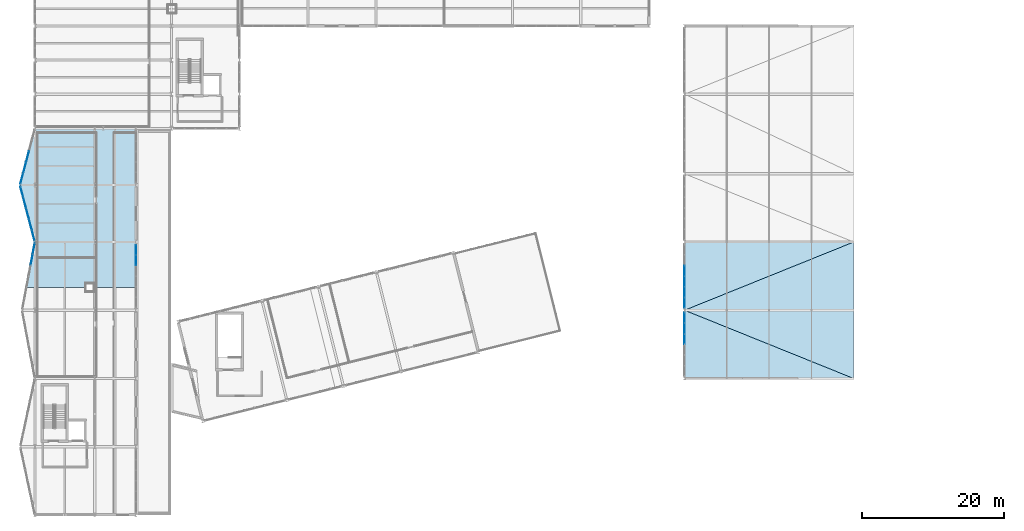
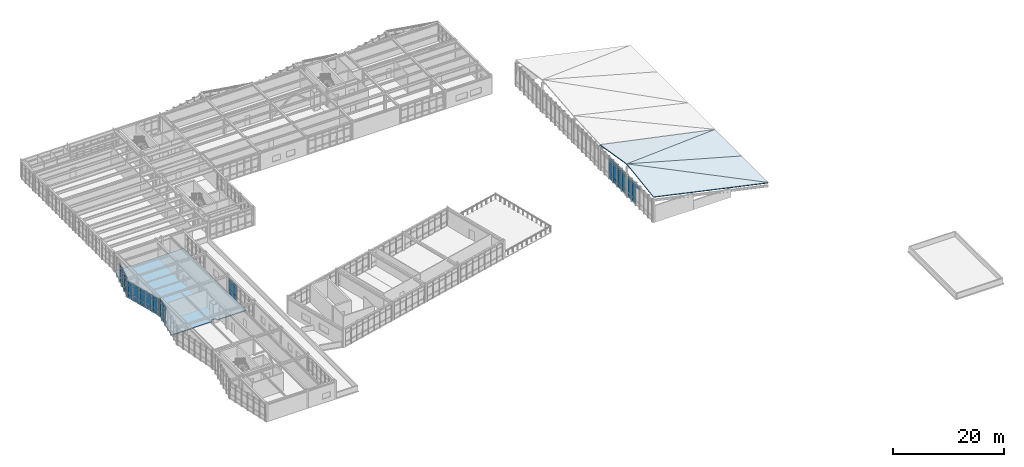
# One storey, part 43 of 64: 55 plates, 5 slabs, 6 elements without a shape of their own.
"""IFC4 building model written with IfcOpenShell, lengths in metres."""

from ifc_helpers import new_model, si_unit, direction, frame, origin, origin_2d, place, context, subcontext, project, spatial, polyline, rectangle, outline, extrude, material, layer, layer_set, type_object, element, aggregate, save


model = new_model("IFC4")

# Units and contexts
model_context = context("Model", 3, precision=1e-05, world=origin(), true_north=direction((0.0, 1.0)))
body_context = subcontext(model_context, "Body", "Model", "MODEL_VIEW")
ifc_project = project(units=[si_unit("LENGTHUNIT", "METRE"), si_unit("AREAUNIT", "SQUARE_METRE"), si_unit("VOLUMEUNIT", "CUBIC_METRE"), si_unit("PLANEANGLEUNIT", "RADIAN"), si_unit("MASSUNIT", "GRAM", prefix="KILO")], contexts=[model_context])

# Site, building, storey
site_placement = place(None, origin())
site = spatial("IfcSite", under=ifc_project, at=site_placement, CompositionType="ELEMENT")
building_placement = place(site_placement, origin())
building = spatial("IfcBuilding", under=site, at=building_placement, Name="Nordkorset Police Headquarters", CompositionType="ELEMENT")
storey_placement = place(building_placement, frame((0.0, 0.0, 17.85009765625)))
storey = spatial("IfcBuildingStorey", under=building, at=storey_placement, Name="L04", CompositionType="ELEMENT", Elevation=17.85009765625)

# Curtain wall, plates
ifc_material_1 = material(Name="Aluminium alloy AW-6060", Category="aluminium")
ifc_layer_1 = layer(ifc_material_1, 0.179931640625, Name="Aluminium alloy AW-6060")
ifc_layer_set_1 = layer_set([ifc_layer_1], Name="Aluminium alloy AW-6060")
curtain_wall_type_1 = type_object("IfcCurtainWallType", Name="CW_Unit_949x392", PredefinedType="USERDEFINED", material=ifc_layer_set_1)
curtain_wall_1_placement = place(storey_placement, origin())
curtain_wall_1 = element("IfcCurtainWall", 1, at=curtain_wall_1_placement, inside=storey, type_object=curtain_wall_type_1, Name="Unitised Curtain Wall L04 V3W-3", ObjectType="UNITISED CURTAIN WALL", PredefinedType="USERDEFINED")
ifc_material_2 = material(Name="Low-iron triple glazing", Category="glass")
ifc_layer_2 = layer(ifc_material_2, 0.035888671875, Name="Low-iron triple glazing")
ifc_layer_set_2 = layer_set([ifc_layer_2], Name="Low-iron triple glazing")
plate_type = type_object("IfcPlateType", Name="CW_Panel_TripleGlazing_36", PredefinedType="CURTAIN_PANEL", material=ifc_layer_set_2)
plate_1_placement = place(storey_placement, frame((-0.462890625, 64.731201171875, 0.06494140625), z_axis=(0.0, 0.0, 1.0), x_axis=(0.184288535048, 0.982872186935, 0.0)))
plate_1 = element("IfcPlate", 2, at=plate_1_placement, type_object=plate_type, Name="CW-49 panel 5.1", PredefinedType="CURTAIN_PANEL", context=body_context, shape_type="SweptSolid", body=[
    extrude(rectangle(XDim=1.51611328125, YDim=0.035888671875, at=origin_2d()), origin(), (0.0, 0.0, 1.0), 0.902587890625),
])
plate_2_placement = place(storey_placement, frame((-0.462890625, 64.731201171875, 1.032470703125), z_axis=(0.0, 0.0, 1.0), x_axis=(0.184288535048, 0.982872186935, 0.0)))
plate_2 = element("IfcPlate", 3, at=plate_2_placement, type_object=plate_type, Name="CW-49 panel 5.2", PredefinedType="CURTAIN_PANEL", context=body_context, shape_type="SweptSolid", body=[
    extrude(rectangle(XDim=1.51611328125, YDim=0.035888671875, at=origin_2d()), origin(), (0.0, 0.0, 1.0), 2.0048828125),
])
plate_3_placement = place(storey_placement, frame((-0.462890625, 64.731201171875, 3.1025390625), z_axis=(0.0, 0.0, 1.0), x_axis=(0.184288535048, 0.982872186935, 0.0)))
plate_3 = element("IfcPlate", 4, at=plate_3_placement, type_object=plate_type, Name="CW-49 panel 5.3", PredefinedType="CURTAIN_PANEL", context=body_context, shape_type="SweptSolid", body=[
    extrude(rectangle(XDim=1.51611328125, YDim=0.035888671875, at=origin_2d()), origin(), (0.0, 0.0, 1.0), 0.75244140625),
])
plate_4_placement = place(storey_placement, frame((-0.174560546875, 66.269287109375, 0.06494140625), z_axis=(0.0, 0.0, 1.0), x_axis=(0.184288535048, 0.982872186935, 0.0)))
plate_4 = element("IfcPlate", 5, at=plate_4_placement, type_object=plate_type, Name="CW-49 panel 6.1", PredefinedType="CURTAIN_PANEL", context=body_context, shape_type="SweptSolid", body=[
    extrude(rectangle(XDim=1.483642578125, YDim=0.035888671875, at=origin_2d()), origin(), (0.0, 0.0, 1.0), 0.902587890625),
])
plate_5_placement = place(storey_placement, frame((-0.174560546875, 66.269287109375, 1.032470703125), z_axis=(0.0, 0.0, 1.0), x_axis=(0.184288535048, 0.982872186935, 0.0)))
plate_5 = element("IfcPlate", 6, at=plate_5_placement, type_object=plate_type, Name="CW-49 panel 6.2", PredefinedType="CURTAIN_PANEL", context=body_context, shape_type="SweptSolid", body=[
    extrude(rectangle(XDim=1.483642578125, YDim=0.035888671875, at=origin_2d()), origin(), (0.0, 0.0, 1.0), 2.0048828125),
])
plate_6_placement = place(storey_placement, frame((-0.174560546875, 66.269287109375, 3.1025390625), z_axis=(0.0, 0.0, 1.0), x_axis=(0.184288535048, 0.982872186935, 0.0)))
plate_6 = element("IfcPlate", 7, at=plate_6_placement, type_object=plate_type, Name="CW-49 panel 6.3", PredefinedType="CURTAIN_PANEL", context=body_context, shape_type="SweptSolid", body=[
    extrude(rectangle(XDim=1.483642578125, YDim=0.035888671875, at=origin_2d()), origin(), (0.0, 0.0, 1.0), 0.75244140625),
])
aggregate(curtain_wall_1, [plate_1, plate_2, plate_3, plate_4, plate_5, plate_6])

ifc_material_3 = material(Name="Aluminium alloy AW-6060", Category="aluminium")
ifc_layer_3 = layer(ifc_material_3, 0.179931640625, Name="Aluminium alloy AW-6060")
ifc_layer_set_3 = layer_set([ifc_layer_3], Name="Aluminium alloy AW-6060")
curtain_wall_type_2 = type_object("IfcCurtainWallType", Name="CW_Unit_888x353", PredefinedType="USERDEFINED", material=ifc_layer_set_3)
curtain_wall_2_placement = place(storey_placement, origin())
curtain_wall_2 = element("IfcCurtainWall", 8, at=curtain_wall_2_placement, inside=storey, type_object=curtain_wall_type_2, Name="Unitised Curtain Wall L04 V3E-3", ObjectType="UNITISED CURTAIN WALL", PredefinedType="USERDEFINED")
plate_7_placement = place(storey_placement, frame((14.199951171875, 64.6201171875, 0.06494140625), z_axis=(0.0, 0.0, 1.0), x_axis=(0.0, 1.0, 0.0)))
plate_7 = element("IfcPlate", 9, at=plate_7_placement, type_object=plate_type, Name="CW-52 panel 5.1", PredefinedType="CURTAIN_PANEL", context=body_context, shape_type="SweptSolid", body=[
    extrude(rectangle(XDim=1.4150390625, YDim=0.035888671875, at=origin_2d()), origin(), (0.0, 0.0, 1.0), 0.902587890625),
])
plate_8_placement = place(storey_placement, frame((14.199951171875, 64.6201171875, 1.0322265625), z_axis=(0.0, 0.0, 1.0), x_axis=(0.0, 1.0, 0.0)))
plate_8 = element("IfcPlate", 10, at=plate_8_placement, type_object=plate_type, Name="CW-52 panel 5.2", PredefinedType="CURTAIN_PANEL", context=body_context, shape_type="SweptSolid", body=[
    extrude(rectangle(XDim=1.4150390625, YDim=0.035888671875, at=origin_2d()), origin(), (0.0, 0.0, 1.0), 1.614990234375),
])
plate_9_placement = place(storey_placement, frame((14.199951171875, 64.6201171875, 2.71240234375), z_axis=(0.0, 0.0, 1.0), x_axis=(0.0, 1.0, 0.0)))
plate_9 = element("IfcPlate", 11, at=plate_9_placement, type_object=plate_type, Name="CW-52 panel 5.3", PredefinedType="CURTAIN_PANEL", context=body_context, shape_type="SweptSolid", body=[
    extrude(rectangle(XDim=1.4150390625, YDim=0.035888671875, at=origin_2d()), origin(), (0.0, 0.0, 1.0), 0.75244140625),
])
plate_10_placement = place(storey_placement, frame((14.199951171875, 66.083740234375, 0.06494140625), z_axis=(0.0, 0.0, 1.0), x_axis=(0.0, 1.0, 0.0)))
plate_10 = element("IfcPlate", 12, at=plate_10_placement, type_object=plate_type, Name="CW-52 panel 6.1", PredefinedType="CURTAIN_PANEL", context=body_context, shape_type="SweptSolid", body=[
    extrude(rectangle(XDim=1.382568359375, YDim=0.035888671875, at=origin_2d()), origin(), (0.0, 0.0, 1.0), 0.902587890625),
])
plate_11_placement = place(storey_placement, frame((14.199951171875, 66.083740234375, 1.0322265625), z_axis=(0.0, 0.0, 1.0), x_axis=(0.0, 1.0, 0.0)))
plate_11 = element("IfcPlate", 13, at=plate_11_placement, type_object=plate_type, Name="CW-52 panel 6.2", PredefinedType="CURTAIN_PANEL", context=body_context, shape_type="SweptSolid", body=[
    extrude(rectangle(XDim=1.382568359375, YDim=0.035888671875, at=origin_2d()), origin(), (0.0, 0.0, 1.0), 1.614990234375),
])
plate_12_placement = place(storey_placement, frame((14.199951171875, 66.083740234375, 2.71240234375), z_axis=(0.0, 0.0, 1.0), x_axis=(0.0, 1.0, 0.0)))
plate_12 = element("IfcPlate", 14, at=plate_12_placement, type_object=plate_type, Name="CW-52 panel 6.3", PredefinedType="CURTAIN_PANEL", context=body_context, shape_type="SweptSolid", body=[
    extrude(rectangle(XDim=1.382568359375, YDim=0.035888671875, at=origin_2d()), origin(), (0.0, 0.0, 1.0), 0.75244140625),
])
aggregate(curtain_wall_2, [plate_7, plate_8, plate_9, plate_10, plate_11, plate_12])

ifc_material_4 = material(Name="Aluminium alloy AW-6060", Category="aluminium")
ifc_layer_4 = layer(ifc_material_4, 0.179931640625, Name="Aluminium alloy AW-6060")
ifc_layer_set_4 = layer_set([ifc_layer_4], Name="Aluminium alloy AW-6060")
curtain_wall_type_3 = type_object("IfcCurtainWallType", Name="CW_Unit_799x353", PredefinedType="USERDEFINED", material=ifc_layer_set_4)
curtain_wall_3_placement = place(storey_placement, origin())
curtain_wall_3 = element("IfcCurtainWall", 15, at=curtain_wall_3_placement, inside=storey, type_object=curtain_wall_type_3, Name="Unitised Curtain Wall L04 V3W-4", ObjectType="UNITISED CURTAIN WALL", PredefinedType="USERDEFINED")
plate_13_placement = place(storey_placement, frame((-0.24267578125, 68.1240234375, 0.06494140625), z_axis=(0.0, 0.0, 1.0), x_axis=(-0.25389698695, 0.967231265013, 0.0)))
plate_13 = element("IfcPlate", 16, at=plate_13_placement, type_object=plate_type, Name="CW-108 panel 1.1", PredefinedType="CURTAIN_PANEL", context=body_context, shape_type="SweptSolid", body=[
    extrude(rectangle(XDim=1.500732421875, YDim=0.035888671875, at=origin_2d()), origin(), (0.0, 0.0, 1.0), 0.902587890625),
])
plate_14_placement = place(storey_placement, frame((-0.24267578125, 68.1240234375, 1.0322265625), z_axis=(0.0, 0.0, 1.0), x_axis=(-0.25389698695, 0.967231265013, 0.0)))
plate_14 = element("IfcPlate", 17, at=plate_14_placement, type_object=plate_type, Name="CW-108 panel 1.2", PredefinedType="CURTAIN_PANEL", context=body_context, shape_type="SweptSolid", body=[
    extrude(rectangle(XDim=1.500732421875, YDim=0.035888671875, at=origin_2d()), origin(), (0.0, 0.0, 1.0), 1.614990234375),
])
plate_15_placement = place(storey_placement, frame((-0.24267578125, 68.1240234375, 2.71240234375), z_axis=(0.0, 0.0, 1.0), x_axis=(-0.25389698695, 0.967231265013, 0.0)))
plate_15 = element("IfcPlate", 18, at=plate_15_placement, type_object=plate_type, Name="CW-108 panel 1.3", PredefinedType="CURTAIN_PANEL", context=body_context, shape_type="SweptSolid", body=[
    extrude(rectangle(XDim=1.500732421875, YDim=0.035888671875, at=origin_2d()), origin(), (0.0, 0.0, 1.0), 0.75244140625),
])
plate_16_placement = place(storey_placement, frame((-0.644287109375, 69.654052734375, 0.06494140625), z_axis=(0.0, 0.0, 1.0), x_axis=(-0.25389698695, 0.967231265013, 0.0)))
plate_16 = element("IfcPlate", 19, at=plate_16_placement, type_object=plate_type, Name="CW-108 panel 2.1", PredefinedType="CURTAIN_PANEL", context=body_context, shape_type="SweptSolid", body=[
    extrude(rectangle(XDim=1.533203125, YDim=0.035888671875, at=origin_2d()), origin(), (0.0, 0.0, 1.0), 0.902587890625),
])
plate_17_placement = place(storey_placement, frame((-0.644287109375, 69.654052734375, 1.0322265625), z_axis=(0.0, 0.0, 1.0), x_axis=(-0.25389698695, 0.967231265013, 0.0)))
plate_17 = element("IfcPlate", 20, at=plate_17_placement, type_object=plate_type, Name="CW-108 panel 2.2", PredefinedType="CURTAIN_PANEL", context=body_context, shape_type="SweptSolid", body=[
    extrude(rectangle(XDim=1.533203125, YDim=0.035888671875, at=origin_2d()), origin(), (0.0, 0.0, 1.0), 1.614990234375),
])
plate_18_placement = place(storey_placement, frame((-0.644287109375, 69.654052734375, 2.71240234375), z_axis=(0.0, 0.0, 1.0), x_axis=(-0.25389698695, 0.967231265013, 0.0)))
plate_18 = element("IfcPlate", 21, at=plate_18_placement, type_object=plate_type, Name="CW-108 panel 2.3", PredefinedType="CURTAIN_PANEL", context=body_context, shape_type="SweptSolid", body=[
    extrude(rectangle(XDim=1.533203125, YDim=0.035888671875, at=origin_2d()), origin(), (0.0, 0.0, 1.0), 0.75244140625),
])
plate_19_placement = place(storey_placement, frame((-1.050048828125, 71.199951171875, 0.06494140625), z_axis=(0.0, 0.0, 1.0), x_axis=(-0.25389698695, 0.967231265013, 0.0)))
plate_19 = element("IfcPlate", 22, at=plate_19_placement, type_object=plate_type, Name="CW-108 panel 3.1", PredefinedType="CURTAIN_PANEL", context=body_context, shape_type="SweptSolid", body=[
    extrude(rectangle(XDim=1.533203125, YDim=0.035888671875, at=origin_2d()), origin(), (0.0, 0.0, 1.0), 0.902587890625),
])
plate_20_placement = place(storey_placement, frame((-1.050048828125, 71.199951171875, 1.0322265625), z_axis=(0.0, 0.0, 1.0), x_axis=(-0.25389698695, 0.967231265013, 0.0)))
plate_20 = element("IfcPlate", 23, at=plate_20_placement, type_object=plate_type, Name="CW-108 panel 3.2", PredefinedType="CURTAIN_PANEL", context=body_context, shape_type="SweptSolid", body=[
    extrude(rectangle(XDim=1.533203125, YDim=0.035888671875, at=origin_2d()), origin(), (0.0, 0.0, 1.0), 1.614990234375),
])
plate_21_placement = place(storey_placement, frame((-1.050048828125, 71.199951171875, 2.71240234375), z_axis=(0.0, 0.0, 1.0), x_axis=(-0.25389698695, 0.967231265013, 0.0)))
plate_21 = element("IfcPlate", 24, at=plate_21_placement, type_object=plate_type, Name="CW-108 panel 3.3", PredefinedType="CURTAIN_PANEL", context=body_context, shape_type="SweptSolid", body=[
    extrude(rectangle(XDim=1.533203125, YDim=0.035888671875, at=origin_2d()), origin(), (0.0, 0.0, 1.0), 0.75244140625),
])
plate_22_placement = place(storey_placement, frame((-1.455810546875, 72.745849609375, 0.06494140625), z_axis=(0.0, 0.0, 1.0), x_axis=(-0.25389698695, 0.967231265013, 0.0)))
plate_22 = element("IfcPlate", 25, at=plate_22_placement, type_object=plate_type, Name="CW-108 panel 4.1", PredefinedType="CURTAIN_PANEL", context=body_context, shape_type="SweptSolid", body=[
    extrude(rectangle(XDim=1.533203125, YDim=0.035888671875, at=origin_2d()), origin(), (0.0, 0.0, 1.0), 0.902587890625),
])
plate_23_placement = place(storey_placement, frame((-1.455810546875, 72.745849609375, 1.0322265625), z_axis=(0.0, 0.0, 1.0), x_axis=(-0.25389698695, 0.967231265013, 0.0)))
plate_23 = element("IfcPlate", 26, at=plate_23_placement, type_object=plate_type, Name="CW-108 panel 4.2", PredefinedType="CURTAIN_PANEL", context=body_context, shape_type="SweptSolid", body=[
    extrude(rectangle(XDim=1.533203125, YDim=0.035888671875, at=origin_2d()), origin(), (0.0, 0.0, 1.0), 1.614990234375),
])
plate_24_placement = place(storey_placement, frame((-1.455810546875, 72.745849609375, 2.71240234375), z_axis=(0.0, 0.0, 1.0), x_axis=(-0.25389698695, 0.967231265013, 0.0)))
plate_24 = element("IfcPlate", 27, at=plate_24_placement, type_object=plate_type, Name="CW-108 panel 4.3", PredefinedType="CURTAIN_PANEL", context=body_context, shape_type="SweptSolid", body=[
    extrude(rectangle(XDim=1.533203125, YDim=0.035888671875, at=origin_2d()), origin(), (0.0, 0.0, 1.0), 0.75244140625),
])
plate_25_placement = place(storey_placement, frame((-1.857421875, 74.27587890625, 0.06494140625), z_axis=(0.0, 0.0, 1.0), x_axis=(-0.25389698695, 0.967231265013, 0.0)))
plate_25 = element("IfcPlate", 28, at=plate_25_placement, type_object=plate_type, Name="CW-108 panel 5.1", PredefinedType="CURTAIN_PANEL", context=body_context, shape_type="SweptSolid", body=[
    extrude(rectangle(XDim=1.500732421875, YDim=0.035888671875, at=origin_2d()), origin(), (0.0, 0.0, 1.0), 0.902587890625),
])
plate_26_placement = place(storey_placement, frame((-1.857421875, 74.27587890625, 1.0322265625), z_axis=(0.0, 0.0, 1.0), x_axis=(-0.25389698695, 0.967231265013, 0.0)))
plate_26 = element("IfcPlate", 29, at=plate_26_placement, type_object=plate_type, Name="CW-108 panel 5.2", PredefinedType="CURTAIN_PANEL", context=body_context, shape_type="SweptSolid", body=[
    extrude(rectangle(XDim=1.500732421875, YDim=0.035888671875, at=origin_2d()), origin(), (0.0, 0.0, 1.0), 1.614990234375),
])
plate_27_placement = place(storey_placement, frame((-1.857421875, 74.27587890625, 2.71240234375), z_axis=(0.0, 0.0, 1.0), x_axis=(-0.25389698695, 0.967231265013, 0.0)))
plate_27 = element("IfcPlate", 30, at=plate_27_placement, type_object=plate_type, Name="CW-108 panel 5.3", PredefinedType="CURTAIN_PANEL", context=body_context, shape_type="SweptSolid", body=[
    extrude(rectangle(XDim=1.500732421875, YDim=0.035888671875, at=origin_2d()), origin(), (0.0, 0.0, 1.0), 0.75244140625),
])
aggregate(curtain_wall_3, [plate_13, plate_14, plate_15, plate_16, plate_17, plate_18, plate_19, plate_20, plate_21, plate_22, plate_23, plate_24, plate_25, plate_26, plate_27])

ifc_material_5 = material(Name="Aluminium alloy AW-6060", Category="aluminium")
ifc_layer_5 = layer(ifc_material_5, 0.179931640625, Name="Aluminium alloy AW-6060")
ifc_layer_set_5 = layer_set([ifc_layer_5], Name="Aluminium alloy AW-6060")
curtain_wall_type_4 = type_object("IfcCurtainWallType", Name="CW_Unit_799x392", PredefinedType="USERDEFINED", material=ifc_layer_set_5)
curtain_wall_4_placement = place(storey_placement, origin())
curtain_wall_4 = element("IfcCurtainWall", 31, at=curtain_wall_4_placement, inside=storey, type_object=curtain_wall_type_4, Name="Unitised Curtain Wall L04 V3W-5", ObjectType="UNITISED CURTAIN WALL", PredefinedType="USERDEFINED")
plate_28_placement = place(storey_placement, frame((-1.857421875, 76.1240234375, 0.06494140625), z_axis=(0.0, 0.0, 1.0), x_axis=(0.25389698695, 0.967231265013, 0.0)))
plate_28 = element("IfcPlate", 32, at=plate_28_placement, type_object=plate_type, Name="CW-68 panel 1.1", PredefinedType="CURTAIN_PANEL", context=body_context, shape_type="SweptSolid", body=[
    extrude(rectangle(XDim=1.500732421875, YDim=0.035888671875, at=origin_2d()), origin(), (0.0, 0.0, 1.0), 0.902587890625),
])
plate_29_placement = place(storey_placement, frame((-1.857421875, 76.1240234375, 1.032470703125), z_axis=(0.0, 0.0, 1.0), x_axis=(0.25389698695, 0.967231265013, 0.0)))
plate_29 = element("IfcPlate", 33, at=plate_29_placement, type_object=plate_type, Name="CW-68 panel 1.2", PredefinedType="CURTAIN_PANEL", context=body_context, shape_type="SweptSolid", body=[
    extrude(rectangle(XDim=1.500732421875, YDim=0.035888671875, at=origin_2d()), origin(), (0.0, 0.0, 1.0), 2.0048828125),
])
plate_30_placement = place(storey_placement, frame((-1.857421875, 76.1240234375, 3.1025390625), z_axis=(0.0, 0.0, 1.0), x_axis=(0.25389698695, 0.967231265013, 0.0)))
plate_30 = element("IfcPlate", 34, at=plate_30_placement, type_object=plate_type, Name="CW-68 panel 1.3", PredefinedType="CURTAIN_PANEL", context=body_context, shape_type="SweptSolid", body=[
    extrude(rectangle(XDim=1.500732421875, YDim=0.035888671875, at=origin_2d()), origin(), (0.0, 0.0, 1.0), 0.75244140625),
])
plate_31_placement = place(storey_placement, frame((-1.455810546875, 77.654052734375, 0.06494140625), z_axis=(0.0, 0.0, 1.0), x_axis=(0.25389698695, 0.967231265013, 0.0)))
plate_31 = element("IfcPlate", 35, at=plate_31_placement, type_object=plate_type, Name="CW-68 panel 2.1", PredefinedType="CURTAIN_PANEL", context=body_context, shape_type="SweptSolid", body=[
    extrude(rectangle(XDim=1.533203125, YDim=0.035888671875, at=origin_2d()), origin(), (0.0, 0.0, 1.0), 0.902587890625),
])
plate_32_placement = place(storey_placement, frame((-1.455810546875, 77.654052734375, 1.032470703125), z_axis=(0.0, 0.0, 1.0), x_axis=(0.25389698695, 0.967231265013, 0.0)))
plate_32 = element("IfcPlate", 36, at=plate_32_placement, type_object=plate_type, Name="CW-68 panel 2.2", PredefinedType="CURTAIN_PANEL", context=body_context, shape_type="SweptSolid", body=[
    extrude(rectangle(XDim=1.533203125, YDim=0.035888671875, at=origin_2d()), origin(), (0.0, 0.0, 1.0), 2.0048828125),
])
plate_33_placement = place(storey_placement, frame((-1.455810546875, 77.654052734375, 3.1025390625), z_axis=(0.0, 0.0, 1.0), x_axis=(0.25389698695, 0.967231265013, 0.0)))
plate_33 = element("IfcPlate", 37, at=plate_33_placement, type_object=plate_type, Name="CW-68 panel 2.3", PredefinedType="CURTAIN_PANEL", context=body_context, shape_type="SweptSolid", body=[
    extrude(rectangle(XDim=1.533203125, YDim=0.035888671875, at=origin_2d()), origin(), (0.0, 0.0, 1.0), 0.75244140625),
])
plate_34_placement = place(storey_placement, frame((-1.050048828125, 79.199951171875, 0.06494140625), z_axis=(0.0, 0.0, 1.0), x_axis=(0.25389698695, 0.967231265013, 0.0)))
plate_34 = element("IfcPlate", 38, at=plate_34_placement, type_object=plate_type, Name="CW-68 panel 3.1", PredefinedType="CURTAIN_PANEL", context=body_context, shape_type="SweptSolid", body=[
    extrude(rectangle(XDim=1.533203125, YDim=0.035888671875, at=origin_2d()), origin(), (0.0, 0.0, 1.0), 0.902587890625),
])
plate_35_placement = place(storey_placement, frame((-1.050048828125, 79.199951171875, 1.032470703125), z_axis=(0.0, 0.0, 1.0), x_axis=(0.25389698695, 0.967231265013, 0.0)))
plate_35 = element("IfcPlate", 39, at=plate_35_placement, type_object=plate_type, Name="CW-68 panel 3.2", PredefinedType="CURTAIN_PANEL", context=body_context, shape_type="SweptSolid", body=[
    extrude(rectangle(XDim=1.533203125, YDim=0.035888671875, at=origin_2d()), origin(), (0.0, 0.0, 1.0), 2.0048828125),
])
plate_36_placement = place(storey_placement, frame((-1.050048828125, 79.199951171875, 3.1025390625), z_axis=(0.0, 0.0, 1.0), x_axis=(0.25389698695, 0.967231265013, 0.0)))
plate_36 = element("IfcPlate", 40, at=plate_36_placement, type_object=plate_type, Name="CW-68 panel 3.3", PredefinedType="CURTAIN_PANEL", context=body_context, shape_type="SweptSolid", body=[
    extrude(rectangle(XDim=1.533203125, YDim=0.035888671875, at=origin_2d()), origin(), (0.0, 0.0, 1.0), 0.75244140625),
])
aggregate(curtain_wall_4, [plate_28, plate_29, plate_30, plate_31, plate_32, plate_33, plate_34, plate_35, plate_36])

ifc_material_6 = material(Name="Aluminium alloy AW-6060", Category="aluminium")
ifc_layer_6 = layer(ifc_material_6, 0.179931640625, Name="Aluminium alloy AW-6060")
ifc_layer_set_6 = layer_set([ifc_layer_6], Name="Aluminium alloy AW-6060")
curtain_wall_type_5 = type_object("IfcCurtainWallType", Name="CW_Unit_900x479", PredefinedType="USERDEFINED", material=ifc_layer_set_6)
curtain_wall_5_placement = place(storey_placement, origin())
curtain_wall_5 = element("IfcCurtainWall", 41, at=curtain_wall_5_placement, inside=storey, type_object=curtain_wall_type_5, Name="Unitised Curtain Wall L04 V5CLER-0", ObjectType="UNITISED CURTAIN WALL", PredefinedType="USERDEFINED")
plate_37_placement = place(storey_placement, frame((91.39990234375, 53.550048828125, 3.972412109375), z_axis=(0.0, 0.0, 1.0), x_axis=(0.0, 1.0, 0.0)))
plate_37 = element("IfcPlate", 42, at=plate_37_placement, type_object=plate_type, Name="CW-89 panel 4.3", PredefinedType="CURTAIN_PANEL", context=body_context, shape_type="SweptSolid", body=[
    extrude(rectangle(XDim=1.43505859375, YDim=0.035888671875, at=origin_2d()), origin(), (0.0, 0.0, 1.0), 0.75244140625),
])
plate_38_placement = place(storey_placement, frame((91.39990234375, 55.050048828125, 0.06494140625), z_axis=(0.0, 0.0, 1.0), x_axis=(0.0, 1.0, 0.0)))
plate_38 = element("IfcPlate", 43, at=plate_38_placement, type_object=plate_type, Name="CW-89 panel 5.1", PredefinedType="CURTAIN_PANEL", context=body_context, shape_type="SweptSolid", body=[
    extrude(rectangle(XDim=1.43505859375, YDim=0.035888671875, at=origin_2d()), origin(), (0.0, 0.0, 1.0), 0.902587890625),
])
plate_39_placement = place(storey_placement, frame((91.39990234375, 55.050048828125, 1.032470703125), z_axis=(0.0, 0.0, 1.0), x_axis=(0.0, 1.0, 0.0)))
plate_39 = element("IfcPlate", 44, at=plate_39_placement, type_object=plate_type, Name="CW-89 panel 5.2", PredefinedType="CURTAIN_PANEL", context=body_context, shape_type="SweptSolid", body=[
    extrude(rectangle(XDim=1.43505859375, YDim=0.035888671875, at=origin_2d()), origin(), (0.0, 0.0, 1.0), 2.875),
])
plate_40_placement = place(storey_placement, frame((91.39990234375, 55.050048828125, 3.972412109375), z_axis=(0.0, 0.0, 1.0), x_axis=(0.0, 1.0, 0.0)))
plate_40 = element("IfcPlate", 45, at=plate_40_placement, type_object=plate_type, Name="CW-89 panel 5.3", PredefinedType="CURTAIN_PANEL", context=body_context, shape_type="SweptSolid", body=[
    extrude(rectangle(XDim=1.43505859375, YDim=0.035888671875, at=origin_2d()), origin(), (0.0, 0.0, 1.0), 0.75244140625),
])
plate_41_placement = place(storey_placement, frame((91.39990234375, 56.53369140625, 0.06494140625), z_axis=(0.0, 0.0, 1.0), x_axis=(0.0, 1.0, 0.0)))
plate_41 = element("IfcPlate", 46, at=plate_41_placement, type_object=plate_type, Name="CW-89 panel 6.1", PredefinedType="CURTAIN_PANEL", context=body_context, shape_type="SweptSolid", body=[
    extrude(rectangle(XDim=1.402587890625, YDim=0.035888671875, at=origin_2d()), origin(), (0.0, 0.0, 1.0), 0.902587890625),
])
plate_42_placement = place(storey_placement, frame((91.39990234375, 56.53369140625, 1.032470703125), z_axis=(0.0, 0.0, 1.0), x_axis=(0.0, 1.0, 0.0)))
plate_42 = element("IfcPlate", 47, at=plate_42_placement, type_object=plate_type, Name="CW-89 panel 6.2", PredefinedType="CURTAIN_PANEL", context=body_context, shape_type="SweptSolid", body=[
    extrude(rectangle(XDim=1.402587890625, YDim=0.035888671875, at=origin_2d()), origin(), (0.0, 0.0, 1.0), 2.875),
])
plate_43_placement = place(storey_placement, frame((91.39990234375, 56.53369140625, 3.972412109375), z_axis=(0.0, 0.0, 1.0), x_axis=(0.0, 1.0, 0.0)))
plate_43 = element("IfcPlate", 48, at=plate_43_placement, type_object=plate_type, Name="CW-89 panel 6.3", PredefinedType="CURTAIN_PANEL", context=body_context, shape_type="SweptSolid", body=[
    extrude(rectangle(XDim=1.402587890625, YDim=0.035888671875, at=origin_2d()), origin(), (0.0, 0.0, 1.0), 0.75244140625),
])
aggregate(curtain_wall_5, [plate_37, plate_38, plate_39, plate_40, plate_41, plate_42, plate_43])

curtain_wall_6_placement = place(storey_placement, origin())
curtain_wall_6 = element("IfcCurtainWall", 49, at=curtain_wall_6_placement, inside=storey, type_object=curtain_wall_type_5, Name="Unitised Curtain Wall L04 V5CLER-1", ObjectType="UNITISED CURTAIN WALL", PredefinedType="USERDEFINED")
plate_44_placement = place(storey_placement, frame((91.39990234375, 58.666259765625, 0.06494140625), z_axis=(0.0, 0.0, 1.0), x_axis=(0.0, 1.0, 0.0)))
plate_44 = element("IfcPlate", 50, at=plate_44_placement, type_object=plate_type, Name="CW-89 panel 1.1", PredefinedType="CURTAIN_PANEL", context=body_context, shape_type="SweptSolid", body=[
    extrude(rectangle(XDim=1.402587890625, YDim=0.035888671875, at=origin_2d()), origin(), (0.0, 0.0, 1.0), 0.902587890625),
])
plate_45_placement = place(storey_placement, frame((91.39990234375, 58.666259765625, 1.032470703125), z_axis=(0.0, 0.0, 1.0), x_axis=(0.0, 1.0, 0.0)))
plate_45 = element("IfcPlate", 51, at=plate_45_placement, type_object=plate_type, Name="CW-89 panel 1.2", PredefinedType="CURTAIN_PANEL", context=body_context, shape_type="SweptSolid", body=[
    extrude(rectangle(XDim=1.402587890625, YDim=0.035888671875, at=origin_2d()), origin(), (0.0, 0.0, 1.0), 2.875),
])
plate_46_placement = place(storey_placement, frame((91.39990234375, 58.666259765625, 3.972412109375), z_axis=(0.0, 0.0, 1.0), x_axis=(0.0, 1.0, 0.0)))
plate_46 = element("IfcPlate", 52, at=plate_46_placement, type_object=plate_type, Name="CW-89 panel 1.3", PredefinedType="CURTAIN_PANEL", context=body_context, shape_type="SweptSolid", body=[
    extrude(rectangle(XDim=1.402587890625, YDim=0.035888671875, at=origin_2d()), origin(), (0.0, 0.0, 1.0), 0.75244140625),
])
plate_47_placement = place(storey_placement, frame((91.39990234375, 60.14990234375, 0.06494140625), z_axis=(0.0, 0.0, 1.0), x_axis=(0.0, 1.0, 0.0)))
plate_47 = element("IfcPlate", 53, at=plate_47_placement, type_object=plate_type, Name="CW-89 panel 2.1", PredefinedType="CURTAIN_PANEL", context=body_context, shape_type="SweptSolid", body=[
    extrude(rectangle(XDim=1.43505859375, YDim=0.035888671875, at=origin_2d()), origin(), (0.0, 0.0, 1.0), 0.902587890625),
])
plate_48_placement = place(storey_placement, frame((91.39990234375, 60.14990234375, 1.032470703125), z_axis=(0.0, 0.0, 1.0), x_axis=(0.0, 1.0, 0.0)))
plate_48 = element("IfcPlate", 54, at=plate_48_placement, type_object=plate_type, Name="CW-89 panel 2.2", PredefinedType="CURTAIN_PANEL", context=body_context, shape_type="SweptSolid", body=[
    extrude(rectangle(XDim=1.43505859375, YDim=0.035888671875, at=origin_2d()), origin(), (0.0, 0.0, 1.0), 2.875),
])
plate_49_placement = place(storey_placement, frame((91.39990234375, 60.14990234375, 3.972412109375), z_axis=(0.0, 0.0, 1.0), x_axis=(0.0, 1.0, 0.0)))
plate_49 = element("IfcPlate", 55, at=plate_49_placement, type_object=plate_type, Name="CW-89 panel 2.3", PredefinedType="CURTAIN_PANEL", context=body_context, shape_type="SweptSolid", body=[
    extrude(rectangle(XDim=1.43505859375, YDim=0.035888671875, at=origin_2d()), origin(), (0.0, 0.0, 1.0), 0.75244140625),
])
plate_50_placement = place(storey_placement, frame((91.39990234375, 61.64990234375, 0.06494140625), z_axis=(0.0, 0.0, 1.0), x_axis=(0.0, 1.0, 0.0)))
plate_50 = element("IfcPlate", 56, at=plate_50_placement, type_object=plate_type, Name="CW-89 panel 3.1", PredefinedType="CURTAIN_PANEL", context=body_context, shape_type="SweptSolid", body=[
    extrude(rectangle(XDim=1.43505859375, YDim=0.035888671875, at=origin_2d()), origin(), (0.0, 0.0, 1.0), 0.902587890625),
])
plate_51_placement = place(storey_placement, frame((91.39990234375, 61.64990234375, 1.032470703125), z_axis=(0.0, 0.0, 1.0), x_axis=(0.0, 1.0, 0.0)))
plate_51 = element("IfcPlate", 57, at=plate_51_placement, type_object=plate_type, Name="CW-89 panel 3.2", PredefinedType="CURTAIN_PANEL", context=body_context, shape_type="SweptSolid", body=[
    extrude(rectangle(XDim=1.43505859375, YDim=0.035888671875, at=origin_2d()), origin(), (0.0, 0.0, 1.0), 2.875),
])
plate_52_placement = place(storey_placement, frame((91.39990234375, 61.64990234375, 3.972412109375), z_axis=(0.0, 0.0, 1.0), x_axis=(0.0, 1.0, 0.0)))
plate_52 = element("IfcPlate", 58, at=plate_52_placement, type_object=plate_type, Name="CW-89 panel 3.3", PredefinedType="CURTAIN_PANEL", context=body_context, shape_type="SweptSolid", body=[
    extrude(rectangle(XDim=1.43505859375, YDim=0.035888671875, at=origin_2d()), origin(), (0.0, 0.0, 1.0), 0.75244140625),
])
plate_53_placement = place(storey_placement, frame((91.39990234375, 63.14990234375, 0.06494140625), z_axis=(0.0, 0.0, 1.0), x_axis=(0.0, 1.0, 0.0)))
plate_53 = element("IfcPlate", 59, at=plate_53_placement, type_object=plate_type, Name="CW-89 panel 4.1", PredefinedType="CURTAIN_PANEL", context=body_context, shape_type="SweptSolid", body=[
    extrude(rectangle(XDim=1.43505859375, YDim=0.035888671875, at=origin_2d()), origin(), (0.0, 0.0, 1.0), 0.902587890625),
])
plate_54_placement = place(storey_placement, frame((91.39990234375, 63.14990234375, 1.032470703125), z_axis=(0.0, 0.0, 1.0), x_axis=(0.0, 1.0, 0.0)))
plate_54 = element("IfcPlate", 60, at=plate_54_placement, type_object=plate_type, Name="CW-89 panel 4.2", PredefinedType="CURTAIN_PANEL", context=body_context, shape_type="SweptSolid", body=[
    extrude(rectangle(XDim=1.43505859375, YDim=0.035888671875, at=origin_2d()), origin(), (0.0, 0.0, 1.0), 2.875),
])
plate_55_placement = place(storey_placement, frame((91.39990234375, 63.14990234375, 3.972412109375), z_axis=(0.0, 0.0, 1.0), x_axis=(0.0, 1.0, 0.0)))
plate_55 = element("IfcPlate", 61, at=plate_55_placement, type_object=plate_type, Name="CW-89 panel 4.3", PredefinedType="CURTAIN_PANEL", context=body_context, shape_type="SweptSolid", body=[
    extrude(rectangle(XDim=1.43505859375, YDim=0.035888671875, at=origin_2d()), origin(), (0.0, 0.0, 1.0), 0.75244140625),
])
aggregate(curtain_wall_6, [plate_44, plate_45, plate_46, plate_47, plate_48, plate_49, plate_50, plate_51, plate_52, plate_53, plate_54, plate_55])

# Slabs
ifc_material_7 = material(Name="Concrete C35/45", Category="concrete")
ifc_layer_7 = layer(ifc_material_7, 0.219970703125, Name="Concrete C35/45")
ifc_layer_set_7 = layer_set([ifc_layer_7], Name="Concrete C35/45")
slab_type_1 = type_object("IfcSlabType", Name="Slab_Office_220", PredefinedType="FLOOR", material=ifc_layer_set_7)
slab_1_placement = place(storey_placement, frame((0.0, 0.0, -0.22021484375)))
element("IfcSlab", 62, at=slab_1_placement, inside=storey, type_object=slab_type_1, Name="Composite Floor Slab V3 North L04", PredefinedType="FLOOR", context=body_context, shape_type="SweptSolid", body=[
    extrude(outline(polyline([(-1.199951171875, 60.802001953125), (7.199951171875, 60.802001953125), (7.199951171875, 61.300048828125), (8.199951171875, 61.300048828125), (8.199951171875, 60.802001953125), (14.199951171875, 60.802001953125), (14.199951171875, 83.197998046875), (0.0, 83.197998046875), (-2.10009765625, 75.199951171875), (0.0, 67.199951171875), (-1.199951171875, 60.802001953125)])), origin(), (0.0, 0.0, 1.0), 0.22021484375),
])
ifc_material_8 = material(Name="Concrete C35/45", Category="concrete")
ifc_layer_8 = layer(ifc_material_8, 0.175048828125, Name="Concrete C35/45")
ifc_layer_set_8 = layer_set([ifc_layer_8], Name="Concrete C35/45")
slab_type_2 = type_object("IfcSlabType", Name="Slab_RoofFold_175", PredefinedType="ROOF", material=ifc_layer_set_8)
slab_2_placement = place(storey_placement, frame((91.39990234375, 48.0, 5.58984375), z_axis=(0.211315394653, -0.141061189944, 0.967185372446), x_axis=(0.976954054111, 0.0, -0.213449704042)))
element("IfcSlab", 63, at=slab_2_placement, inside=storey, type_object=slab_type_2, Name="Gymnasium Folded Origami Roof Facet 1A", PredefinedType="ROOF", context=body_context, shape_type="SweptSolid", body=[
    extrude(outline(polyline([(0.0, 0.0), (24.361482229351694, 1.1102230246251565e-16), (-0.2988608527050284, 9.697059728493212), (0.0, 0.0)])), origin(), (0.0, 0.0, -1.0), 0.175048828125),
])
slab_3_placement = place(storey_placement, frame((115.199951171875, 48.0, 0.389892578125), z_axis=(0.267229351489, 0.0, 0.963632955903), x_axis=(0.0, 1.0, 0.0)))
element("IfcSlab", 64, at=slab_3_placement, inside=storey, type_object=slab_type_2, Name="Gymnasium Folded Origami Roof Facet 1B", PredefinedType="ROOF", context=body_context, shape_type="SweptSolid", body=[
    extrude(outline(polyline([(0.0, 0.0), (9.60009765625, 0.0), (9.60009765625, 24.69825121933071), (0.0, 0.0)])), origin(), (0.0, 0.0, -1.0), 0.175048828125),
])
slab_4_placement = place(storey_placement, frame((91.39990234375, 57.60009765625, 6.989990234375), z_axis=(0.267229351489, 0.0, 0.963632955903), x_axis=(0.963632955903, 0.0, -0.267229351489)))
element("IfcSlab", 65, at=slab_4_placement, inside=storey, type_object=slab_type_2, Name="Gymnasium Folded Origami Roof Facet 2A", PredefinedType="ROOF", context=body_context, shape_type="SweptSolid", body=[
    extrude(outline(polyline([(0.0, 0.0), (24.69825121933071, 0.0), (24.69825121933071, 9.599853515625), (0.0, 0.0)])), origin(), (0.0, 0.0, -1.0), 0.175048828125),
])
slab_5_placement = place(storey_placement, frame((91.39990234375, 57.60009765625, 6.989990234375), z_axis=(0.202913783756, 0.160990880589, 0.965871592257), x_axis=(0.898172094449, 0.362281632311, -0.249076108133)))
element("IfcSlab", 66, at=slab_5_placement, inside=storey, type_object=slab_type_2, Name="Gymnasium Folded Origami Roof Facet 2B", PredefinedType="ROOF", context=body_context, shape_type="SweptSolid", body=[
    extrude(outline(polyline([(0.0, 0.0), (26.498316943055624, 4.996003610813204e-16), (3.8763966984387506, 8.92698429859309), (0.0, 0.0)])), origin(), (0.0, 0.0, -1.0), 0.175048828125),
])

save(model, "model.ifc")
